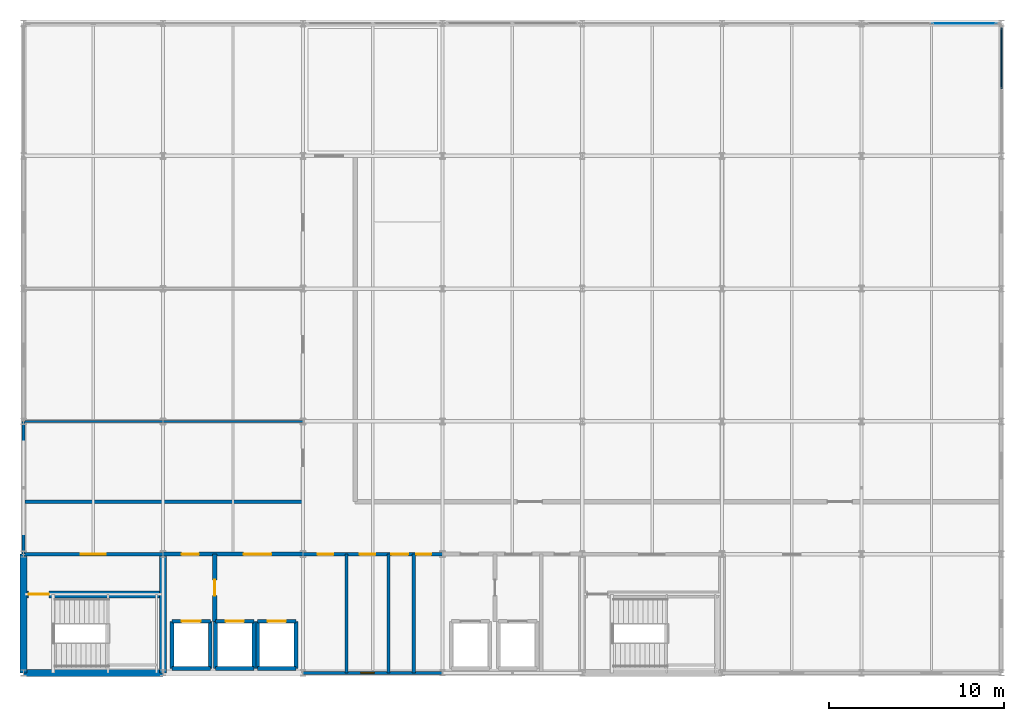
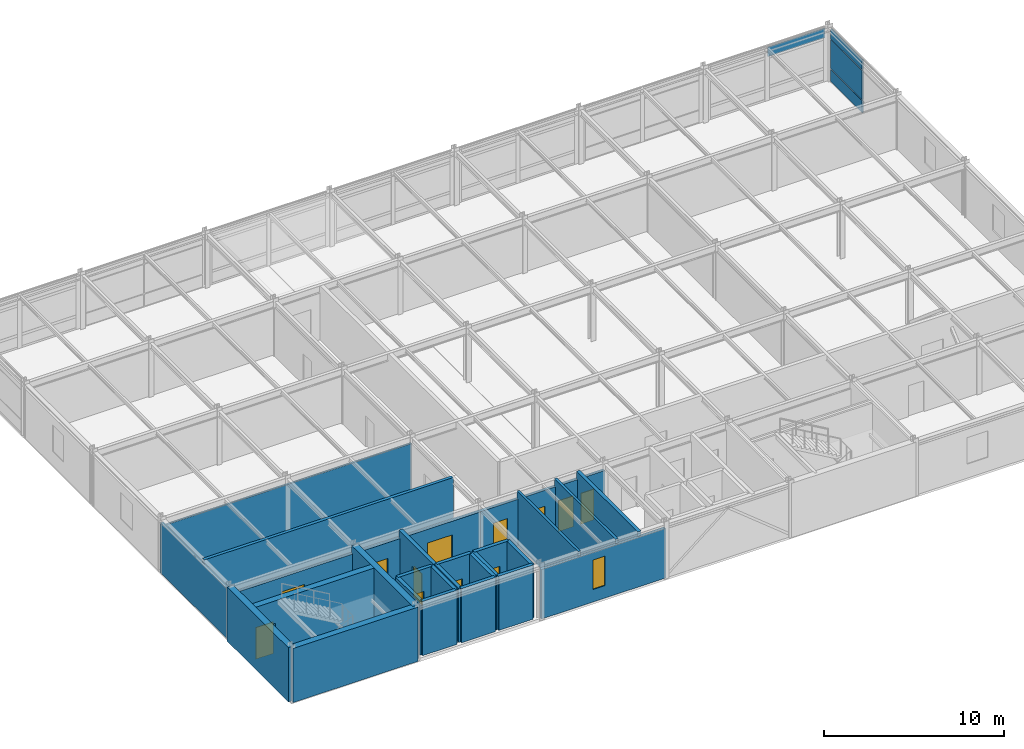
# One storey, part 13 of 16: 27 walls, 12 doors, 4 plates, 1 window, 13 openings, 2 elements without a shape of their own.
"""IFC4 building model written with IfcOpenShell, lengths in metres."""

from ifc_helpers import new_model, si_unit, direction, frame, frame_2d, origin, origin_2d, place, context, subcontext, project, spatial, rectangle, extrude, material, layer, layer_set, type_object, element, fill, aggregate, save


model = new_model("IFC4")

# Units and contexts
model_context = context("Model", 3, precision=1e-05, world=origin(), true_north=direction((0.0, 1.0)))
body_context = subcontext(model_context, "Body", "Model", "MODEL_VIEW")
ifc_project = project(units=[si_unit("LENGTHUNIT", "METRE"), si_unit("AREAUNIT", "SQUARE_METRE"), si_unit("VOLUMEUNIT", "CUBIC_METRE"), si_unit("PLANEANGLEUNIT", "RADIAN"), si_unit("MASSUNIT", "GRAM", prefix="KILO")], contexts=[model_context])

# Site, building, storey
site_placement = place(None, origin())
site = spatial("IfcSite", under=ifc_project, at=site_placement, CompositionType="ELEMENT")
building_placement = place(site_placement, origin())
building = spatial("IfcBuilding", under=site, at=building_placement, Name="Shalkamar Park Central Library", CompositionType="ELEMENT")
storey_placement = place(building_placement, frame((0.0, 0.0, 43.800048828125)))
storey = spatial("IfcBuildingStorey", under=building, at=storey_placement, Name="L11", CompositionType="ELEMENT", Elevation=43.800048828125)

# Curtain wall, plate
ifc_material_1 = material(Name="Thermally broken aluminium and triple low-e curtain wall", Category="aluminium")
ifc_layer_1 = layer(ifc_material_1, 0.280029296875)
ifc_layer_set_1 = layer_set([ifc_layer_1], Name="UnitisedCurtainWall_78")
curtain_wall_type_1 = type_object("IfcCurtainWallType", Name="Unitised Curtain Wall 78", PredefinedType="USERDEFINED", material=ifc_layer_set_1)
curtain_wall_1_placement = place(storey_placement, origin())
curtain_wall_1 = element("IfcCurtainWall", 1, at=curtain_wall_1_placement, inside=storey, type_object=curtain_wall_type_1, Name="Unitised Curtain Wall CW-L11-132", ObjectType="UNITISED CURTAIN WALL", PredefinedType="USERDEFINED")
ifc_material_2 = material(Name="Triple-glazed solar-control glass", Category="glass")
ifc_layer_2 = layer(ifc_material_2, 0.031982421875)
ifc_layer_set_2 = layer_set([ifc_layer_2], Name="SolarControlVisionPanel_32")
plate_type_1 = type_object("IfcPlateType", Name="Solar Control Vision Panel 32", PredefinedType="CURTAIN_PANEL", material=ifc_layer_set_2)
plate_1_placement = place(storey_placement, frame((218.887939453125, 285.60009765625, 2.96484375), z_axis=(0.0, 0.0, 1.0), x_axis=(1.0, 0.0, 0.0)))
plate_1 = element("IfcPlate", 2, at=plate_1_placement, type_object=plate_type_1, Name="CW-78 panel 2.3", PredefinedType="CURTAIN_PANEL", context=body_context, shape_type="SweptSolid", body=[
    extrude(rectangle(XDim=3.677001953125, YDim=0.031982421875, at=origin_2d()), origin(), (0.0, 0.0, 1.0), 0.64501953125),
])
aggregate(curtain_wall_1, [plate_1])

# Curtain wall, plates
ifc_layer_3 = layer(ifc_material_1, 0.25)
ifc_layer_set_3 = layer_set([ifc_layer_3], Name="UnitisedCurtainWall_82")
curtain_wall_type_2 = type_object("IfcCurtainWallType", Name="Unitised Curtain Wall 82", PredefinedType="USERDEFINED", material=ifc_layer_set_3)
curtain_wall_2_placement = place(storey_placement, origin())
curtain_wall_2 = element("IfcCurtainWall", 3, at=curtain_wall_2_placement, inside=storey, type_object=curtain_wall_type_2, Name="Unitised Curtain Wall CW-L11-134", ObjectType="UNITISED CURTAIN WALL", PredefinedType="USERDEFINED")
ifc_material_3 = material(Name="Insulated aluminium spandrel panel", Category="aluminium")
ifc_layer_4 = layer(ifc_material_3, 0.080078125)
ifc_layer_set_4 = layer_set([ifc_layer_4], Name="SpandrelShadowboxPanel_80")
plate_type_2 = type_object("IfcPlateType", Name="Spandrel Shadowbox Panel 80", PredefinedType="CURTAIN_PANEL", material=ifc_layer_set_4)
plate_2_placement = place(storey_placement, frame((221.0, 283.589599609375, 0.059814453125), z_axis=(0.0, 0.0, 1.0), x_axis=(0.0, 1.0, 0.0)))
plate_2 = element("IfcPlate", 4, at=plate_2_placement, type_object=plate_type_2, Name="CW-82 panel 2.1", PredefinedType="CURTAIN_PANEL", context=body_context, shape_type="SweptSolid", body=[
    extrude(rectangle(XDim=3.50390625, YDim=0.080078125, at=origin_2d()), origin(), (0.0, 0.0, 1.0), 0.81005859375),
])
plate_3_placement = place(storey_placement, frame((221.0, 283.589599609375, 0.93017578125), z_axis=(0.0, 0.0, 1.0), x_axis=(0.0, 1.0, 0.0)))
plate_3 = element("IfcPlate", 5, at=plate_3_placement, type_object=plate_type_2, Name="CW-82 panel 2.2", PredefinedType="CURTAIN_PANEL", context=body_context, shape_type="SweptSolid", body=[
    extrude(rectangle(XDim=3.50390625, YDim=0.080078125, at=origin_2d()), origin(), (0.0, 0.0, 1.0), 1.969970703125),
])
plate_4_placement = place(storey_placement, frame((221.0, 283.589599609375, 2.9599609375), z_axis=(0.0, 0.0, 1.0), x_axis=(0.0, 1.0, 0.0)))
plate_4 = element("IfcPlate", 6, at=plate_4_placement, type_object=plate_type_2, Name="CW-82 panel 2.3", PredefinedType="CURTAIN_PANEL", context=body_context, shape_type="SweptSolid", body=[
    extrude(rectangle(XDim=3.50390625, YDim=0.080078125, at=origin_2d()), origin(), (0.0, 0.0, 1.0), 0.659912109375),
])
aggregate(curtain_wall_2, [plate_2, plate_3, plate_4])

# Wall, opening, door
ifc_material_4 = material(Name="Reinforced fire-compartment masonry wall", Category="masonry")
ifc_layer_5 = layer(ifc_material_4, 0.239990234375)
ifc_layer_set_5 = layer_set([ifc_layer_5], Name="CompartmentWall_240")
wall_type_1 = type_object("IfcWallType", Name="Compartment Wall 240", PredefinedType="PARTITIONING", material=ifc_layer_set_5)
wall_1_placement = place(storey_placement, frame((175.949951171875, 251.35009765625, 0.0), z_axis=(0.0, 0.0, 1.0), x_axis=(0.0, 1.0, 0.0)))
wall_1 = element("IfcWall", 7, at=wall_1_placement, inside=storey, type_object=wall_type_1, Name="Interior Partition WL-INT-L11-001", PredefinedType="PARTITIONING", context=body_context, shape_type="SweptSolid", body=[
    extrude(rectangle(XDim=3.849853515625, YDim=0.239990234375, at=frame_2d((1.9248046875, 0.0))), origin(), (0.0, 0.0, 1.0), 3.679931640625),
])
opening_1_placement = place(wall_1_placement, frame((1.47509765625, 0.0, 0.0)))
opening_1 = element("IfcOpeningElement", 8, at=opening_1_placement, cuts=wall_1, Name="Opening DR-L11-001", PredefinedType="OPENING", context=body_context, shape_type="SweptSolid", body=[
    extrude(rectangle(XDim=0.89990234375, YDim=2.10009765625, at=frame_2d((0.449951171875, 1.050048828125))), frame((0.0, 0.134765625, 0.0), z_axis=(0.0, -1.0, 0.0), x_axis=(1.0, 0.0, 0.0)), (0.0, 0.0, 1.0), 0.269775390625),
])
ifc_material_5 = material(Name="Steel S355", Category="steel")
door_type_1 = type_object("IfcDoorType", Name="Fire Door Single 900x2100", OperationType="NOTDEFINED", PredefinedType="DOOR", material=ifc_material_5)
door_1_placement = place(opening_1_placement, frame((0.89990234375, 0.0, 0.0), z_axis=(0.0, 0.0, 1.0), x_axis=(-1.0, 0.0, 0.0)))
door_1 = element("IfcDoor", 9, at=door_1_placement, inside=storey, type_object=door_type_1, Name="Fire Lobby Interconnect Door", OperationType="SINGLE_SWING_LEFT", OverallHeight=2.10009765625, OverallWidth=0.89990234375, PredefinedType="DOOR", context=body_context, shape_type="SweptSolid", body=[
    extrude(rectangle(XDim=0.89990234375, YDim=2.10009765625, at=frame_2d((0.449951171875, 1.050048828125))), frame((0.0, 0.02490234375, 0.0), z_axis=(0.0, -1.0, 0.0), x_axis=(1.0, 0.0, 0.0)), (0.0, 0.0, 1.0), 0.050048828125),
])
fill(opening_1, door_1)

# Wall, openings, doors
wall_2_placement = place(storey_placement, frame((173.0, 255.199951171875, 0.0), z_axis=(0.0, 0.0, 1.0), x_axis=(1.0, 0.0, 0.0)))
wall_2 = element("IfcWall", 10, at=wall_2_placement, inside=storey, type_object=wall_type_1, Name="Interior Partition WL-INT-L11-007", PredefinedType="PARTITIONING", context=body_context, shape_type="SweptSolid", body=[
    extrude(rectangle(XDim=8.0, YDim=0.239990234375, at=frame_2d((4.0, 0.0))), origin(), (0.0, 0.0, 1.0), 3.177978515625),
])
opening_2_placement = place(wall_2_placement, frame((1.050048828125, 0.0, 0.0)))
opening_2 = element("IfcOpeningElement", 11, at=opening_2_placement, cuts=wall_2, Name="Opening DR-L11-003", PredefinedType="OPENING", context=body_context, shape_type="SweptSolid", body=[
    extrude(rectangle(XDim=1.0, YDim=2.10009765625, at=frame_2d((0.5, 1.050048828125))), frame((0.0, 0.134765625, 0.0), z_axis=(0.0, -1.0, 0.0), x_axis=(1.0, 0.0, 0.0)), (0.0, 0.0, 1.0), 0.269775390625),
])
opening_3_placement = place(wall_2_placement, frame((4.60009765625, 0.0, 0.0)))
opening_3 = element("IfcOpeningElement", 12, at=opening_3_placement, cuts=wall_2, Name="Opening DR-L11-004", PredefinedType="OPENING", context=body_context, shape_type="SweptSolid", body=[
    extrude(rectangle(XDim=1.60009765625, YDim=2.25, at=frame_2d((0.800048828125, 1.125))), frame((0.0, 0.134765625, 0.0), z_axis=(0.0, -1.0, 0.0), x_axis=(1.0, 0.0, 0.0)), (0.0, 0.0, 1.0), 0.269775390625),
])
door_type_2 = type_object("IfcDoorType", Name="Fire Door Single 1000x2100", OperationType="NOTDEFINED", PredefinedType="DOOR", material=ifc_material_5)
door_2_placement = place(opening_2_placement, frame((1.0, 0.0, 0.0), z_axis=(0.0, 0.0, 1.0), x_axis=(-1.0, 0.0, 0.0)))
door_2 = element("IfcDoor", 13, at=door_2_placement, inside=storey, type_object=door_type_2, Name="West Firefighting Lobby Door", OperationType="SINGLE_SWING_RIGHT", OverallHeight=2.10009765625, OverallWidth=1.0, PredefinedType="DOOR", context=body_context, shape_type="SweptSolid", body=[
    extrude(rectangle(XDim=1.0, YDim=2.10009765625, at=frame_2d((0.5, 1.050048828125))), frame((0.0, 0.02490234375, 0.0), z_axis=(0.0, -1.0, 0.0), x_axis=(1.0, 0.0, 0.0)), (0.0, 0.0, 1.0), 0.050048828125),
])
fill(opening_2, door_2)
door_type_3 = type_object("IfcDoorType", Name="Interior Door Double 1600x2250", OperationType="DOUBLE_DOOR_SINGLE_SWING", PredefinedType="DOOR", material=ifc_material_5)
door_3_placement = place(opening_3_placement, origin())
door_3 = element("IfcDoor", 14, at=door_3_placement, inside=storey, type_object=door_type_3, Name="West Lift Lobby Entrance", OperationType="DOUBLE_DOOR_SINGLE_SWING", OverallHeight=2.25, OverallWidth=1.60009765625, PredefinedType="DOOR", context=body_context, shape_type="SweptSolid", body=[
    extrude(rectangle(XDim=1.60009765625, YDim=2.25, at=frame_2d((0.800048828125, 1.125))), frame((0.0, 0.02490234375, 0.0), z_axis=(0.0, -1.0, 0.0), x_axis=(1.0, 0.0, 0.0)), (0.0, 0.0, 1.0), 0.050048828125),
])
fill(opening_3, door_3)

# Wall, opening, door
ifc_material_6 = material(Name="Fire-rated corridor partition wall", Category="masonry")
ifc_layer_6 = layer(ifc_material_6, 0.199951171875)
ifc_layer_set_6 = layer_set([ifc_layer_6], Name="CorridorFireWall_200")
wall_type_2 = type_object("IfcWallType", Name="Corridor Fire Wall 200", PredefinedType="PARTITIONING", material=ifc_layer_set_6)
wall_3_placement = place(storey_placement, frame((165.0, 255.199951171875, 0.0), z_axis=(0.0, 0.0, 1.0), x_axis=(1.0, 0.0, 0.0)))
wall_3 = element("IfcWall", 15, at=wall_3_placement, inside=storey, type_object=wall_type_2, Name="CORE-T1 Vestibule North Wall (L11)", PredefinedType="PARTITIONING", context=body_context, shape_type="SweptSolid", body=[
    extrude(rectangle(XDim=8.0, YDim=0.199951171875, at=frame_2d((4.0, 0.0))), origin(), (0.0, 0.0, 1.0), 3.177978515625),
])
opening_4_placement = place(wall_3_placement, frame((3.27490234375, 0.0, 0.0)))
opening_4 = element("IfcOpeningElement", 16, at=opening_4_placement, cuts=wall_3, Name="Opening DR-ST-T1-L11-VEST", PredefinedType="OPENING", context=body_context, shape_type="SweptSolid", body=[
    extrude(rectangle(XDim=1.449951171875, YDim=2.199951171875, at=frame_2d((0.72509765625, 1.10009765625))), frame((0.0, 0.11474609375, 0.0), z_axis=(0.0, -1.0, 0.0), x_axis=(1.0, 0.0, 0.0)), (0.0, 0.0, 1.0), 0.229736328125),
])
door_type_4 = type_object("IfcDoorType", Name="Stair Vestibule Door 1450x2200", OperationType="DOUBLE_DOOR_SINGLE_SWING", PredefinedType="DOOR", material=ifc_material_5)
door_4_placement = place(opening_4_placement, frame((1.449951171875, 0.0, 0.0), z_axis=(0.0, 0.0, 1.0), x_axis=(-1.0, 0.0, 0.0)))
door_4 = element("IfcDoor", 17, at=door_4_placement, inside=storey, type_object=door_type_4, Name="Protected Stair ST-T1 Vestibule Door (L11)", OperationType="DOUBLE_DOOR_SINGLE_SWING", OverallHeight=2.199951171875, OverallWidth=1.449951171875, PredefinedType="DOOR", context=body_context, shape_type="SweptSolid", body=[
    extrude(rectangle(XDim=1.449951171875, YDim=2.199951171875, at=frame_2d((0.72509765625, 1.10009765625))), frame((0.0, 0.02490234375, 0.0), z_axis=(0.0, -1.0, 0.0), x_axis=(1.0, 0.0, 0.0)), (0.0, 0.0, 1.0), 0.050048828125),
])
fill(opening_4, door_4)

# Wall, openings, doors
wall_4_placement = place(storey_placement, frame((181.0, 255.199951171875, 0.0), z_axis=(0.0, 0.0, 1.0), x_axis=(1.0, 0.0, 0.0)))
wall_4 = element("IfcWall", 18, at=wall_4_placement, inside=storey, type_object=wall_type_2, Name="Interior Partition WL-INT-L11-008", PredefinedType="PARTITIONING", context=body_context, shape_type="SweptSolid", body=[
    extrude(rectangle(XDim=8.0, YDim=0.199951171875, at=frame_2d((4.0, 0.0))), origin(), (0.0, 0.0, 1.0), 3.177978515625),
])
opening_5_placement = place(wall_4_placement, frame((0.85009765625, 0.0, 0.0)))
opening_5 = element("IfcOpeningElement", 19, at=opening_5_placement, cuts=wall_4, Name="Opening DR-L11-005", PredefinedType="OPENING", context=body_context, shape_type="SweptSolid", body=[
    extrude(rectangle(XDim=0.89990234375, YDim=2.10009765625, at=frame_2d((0.449951171875, 1.050048828125))), frame((0.0, 0.11474609375, 0.0), z_axis=(0.0, -1.0, 0.0), x_axis=(1.0, 0.0, 0.0)), (0.0, 0.0, 1.0), 0.229736328125),
])
opening_6_placement = place(wall_4_placement, frame((3.25, 0.0, 0.0)))
opening_6 = element("IfcOpeningElement", 20, at=opening_6_placement, cuts=wall_4, Name="Opening DR-L11-006", PredefinedType="OPENING", context=body_context, shape_type="SweptSolid", body=[
    extrude(rectangle(XDim=0.89990234375, YDim=2.10009765625, at=frame_2d((0.449951171875, 1.050048828125))), frame((0.0, 0.11474609375, 0.0), z_axis=(0.0, -1.0, 0.0), x_axis=(1.0, 0.0, 0.0)), (0.0, 0.0, 1.0), 0.229736328125),
])
opening_7_placement = place(wall_4_placement, frame((5.074951171875, 0.0, 0.0)))
opening_7 = element("IfcOpeningElement", 21, at=opening_7_placement, cuts=wall_4, Name="Opening DR-L11-007", PredefinedType="OPENING", context=body_context, shape_type="SweptSolid", body=[
    extrude(rectangle(XDim=0.949951171875, YDim=2.10009765625, at=frame_2d((0.47509765625, 1.050048828125))), frame((0.0, 0.11474609375, 0.0), z_axis=(0.0, -1.0, 0.0), x_axis=(1.0, 0.0, 0.0)), (0.0, 0.0, 1.0), 0.229736328125),
])
opening_8_placement = place(wall_4_placement, frame((6.5, 0.0, 0.0)))
opening_8 = element("IfcOpeningElement", 22, at=opening_8_placement, cuts=wall_4, Name="Opening DR-L11-008", PredefinedType="OPENING", context=body_context, shape_type="SweptSolid", body=[
    extrude(rectangle(XDim=0.85009765625, YDim=2.10009765625, at=frame_2d((0.425048828125, 1.050048828125))), frame((0.0, 0.11474609375, 0.0), z_axis=(0.0, -1.0, 0.0), x_axis=(1.0, 0.0, 0.0)), (0.0, 0.0, 1.0), 0.229736328125),
])
door_type_5 = type_object("IfcDoorType", Name="Fire Door Riser 850x2100", OperationType="NOTDEFINED", PredefinedType="DOOR", material=ifc_material_5)
door_5_placement = place(opening_8_placement, frame((0.85009765625, 0.0, 0.0), z_axis=(0.0, 0.0, 1.0), x_axis=(-1.0, 0.0, 0.0)))
door_5 = element("IfcDoor", 23, at=door_5_placement, inside=storey, type_object=door_type_5, Name="Electrical Riser Access Door", OperationType="SINGLE_SWING_LEFT", OverallHeight=2.10009765625, OverallWidth=0.85009765625, PredefinedType="DOOR", context=body_context, shape_type="SweptSolid", body=[
    extrude(rectangle(XDim=0.85009765625, YDim=2.10009765625, at=frame_2d((0.425048828125, 1.050048828125))), frame((0.0, 0.02490234375, 0.0), z_axis=(0.0, -1.0, 0.0), x_axis=(1.0, 0.0, 0.0)), (0.0, 0.0, 1.0), 0.050048828125),
])
fill(opening_8, door_5)
door_type_6 = type_object("IfcDoorType", Name="Interior Door Single 900x2100", OperationType="NOTDEFINED", PredefinedType="DOOR", material=ifc_material_5)
door_6_placement = place(opening_5_placement, frame((0.89990234375, 0.0, 0.0), z_axis=(0.0, 0.0, 1.0), x_axis=(-1.0, 0.0, 0.0)))
door_6 = element("IfcDoor", 24, at=door_6_placement, inside=storey, type_object=door_type_6, Name="Male WC Door", OperationType="SINGLE_SWING_RIGHT", OverallHeight=2.10009765625, OverallWidth=0.89990234375, PredefinedType="DOOR", context=body_context, shape_type="SweptSolid", body=[
    extrude(rectangle(XDim=0.89990234375, YDim=2.10009765625, at=frame_2d((0.449951171875, 1.050048828125))), frame((0.0, 0.02490234375, 0.0), z_axis=(0.0, -1.0, 0.0), x_axis=(1.0, 0.0, 0.0)), (0.0, 0.0, 1.0), 0.050048828125),
])
fill(opening_5, door_6)
door_7_placement = place(opening_6_placement, frame((0.89990234375, 0.0, 0.0), z_axis=(0.0, 0.0, 1.0), x_axis=(-1.0, 0.0, 0.0)))
door_7 = element("IfcDoor", 25, at=door_7_placement, inside=storey, type_object=door_type_6, Name="Female WC Door", OperationType="SINGLE_SWING_RIGHT", OverallHeight=2.10009765625, OverallWidth=0.89990234375, PredefinedType="DOOR", context=body_context, shape_type="SweptSolid", body=[
    extrude(rectangle(XDim=0.89990234375, YDim=2.10009765625, at=frame_2d((0.449951171875, 1.050048828125))), frame((0.0, 0.02490234375, 0.0), z_axis=(0.0, -1.0, 0.0), x_axis=(1.0, 0.0, 0.0)), (0.0, 0.0, 1.0), 0.050048828125),
])
fill(opening_6, door_7)
door_type_7 = type_object("IfcDoorType", Name="Interior Door Single 950x2100", OperationType="NOTDEFINED", PredefinedType="DOOR", material=ifc_material_5)
door_8_placement = place(opening_7_placement, frame((0.949951171875, 0.0, 0.0), z_axis=(0.0, 0.0, 1.0), x_axis=(-1.0, 0.0, 0.0)))
door_8 = element("IfcDoor", 26, at=door_8_placement, inside=storey, type_object=door_type_7, Name="Universal Accessible WC Door", OperationType="SINGLE_SWING_LEFT", OverallHeight=2.10009765625, OverallWidth=0.949951171875, PredefinedType="DOOR", context=body_context, shape_type="SweptSolid", body=[
    extrude(rectangle(XDim=0.949951171875, YDim=2.10009765625, at=frame_2d((0.47509765625, 1.050048828125))), frame((0.0, 0.02490234375, 0.0), z_axis=(0.0, -1.0, 0.0), x_axis=(1.0, 0.0, 0.0)), (0.0, 0.0, 1.0), 0.050048828125),
])
fill(opening_7, door_8)

# Walls
wall_5_placement = place(storey_placement, frame((165.0, 258.199951171875, 0.0), z_axis=(0.0, 0.0, 1.0), x_axis=(1.0, 0.0, 0.0)))
element("IfcWall", 27, at=wall_5_placement, inside=storey, type_object=wall_type_2, Name="Interior Partition WL-INT-L11-011", PredefinedType="PARTITIONING", context=body_context, shape_type="SweptSolid", body=[
    extrude(rectangle(XDim=16.0, YDim=0.199951171875, at=frame_2d((8.0, 0.0))), origin(), (0.0, 0.0, 1.0), 3.679931640625),
])
ifc_material_7 = material(Name="Concrete C40/50", Category="concrete")
ifc_layer_7 = layer(ifc_material_7, 0.219970703125)
ifc_layer_set_7 = layer_set([ifc_layer_7], Name="Concrete C40/50")
wall_type_3 = type_object("IfcWallType", Name="Lift Hoistway Shear Wall 220", PredefinedType="SHEAR", material=ifc_layer_set_7)
wall_6_placement = place(storey_placement, frame((173.5, 248.64990234375, 0.0), z_axis=(0.0, 0.0, 1.0), x_axis=(1.0, 0.0, 0.0)))
element("IfcWall", 28, at=wall_6_placement, inside=storey, type_object=wall_type_3, Name="Lift FFL-01 Hoistway South Wall (L11)", PredefinedType="SHEAR", context=body_context, shape_type="SweptSolid", body=[
    extrude(rectangle(XDim=2.199951171875, YDim=0.219970703125, at=frame_2d((1.10009765625, 0.0))), origin(), (0.0, 0.0, 1.0), 3.679931640625),
])
for number, where, z_axis, x_axis, name in (
    (29, (173.5, 248.64990234375, 0.0), (0.0, 0.0, 1.0), (0.0, 1.0, 0.0), "Lift FFL-01 Hoistway West Wall (L11)"),
    (30, (175.699951171875, 248.64990234375, 0.0), (0.0, 0.0, 1.0), (0.0, 1.0, 0.0), "Lift FFL-01 Hoistway East Wall (L11)"),
):
    element("IfcWall", number, at=place(storey_placement, frame(where, z_axis=z_axis, x_axis=x_axis)), inside=storey, type_object=wall_type_3, Name=name, PredefinedType="SHEAR", context=body_context, shape_type="SweptSolid", body=[
        extrude(rectangle(XDim=2.7001953125, YDim=0.219970703125, at=frame_2d((1.35009765625, 0.0))), origin(), (0.0, 0.0, 1.0), 3.679931640625),
    ])

# Wall, opening, door
wall_7_placement = place(storey_placement, frame((173.5, 251.35009765625, 0.0), z_axis=(0.0, 0.0, 1.0), x_axis=(1.0, 0.0, 0.0)))
wall_7 = element("IfcWall", 31, at=wall_7_placement, inside=storey, type_object=wall_type_3, Name="Lift FFL-01 Hoistway Front Wall (L11)", PredefinedType="SHEAR", context=body_context, shape_type="SweptSolid", body=[
    extrude(rectangle(XDim=2.199951171875, YDim=0.219970703125, at=frame_2d((1.10009765625, 0.0))), origin(), (0.0, 0.0, 1.0), 3.679931640625),
])
opening_9_placement = place(wall_7_placement, frame((0.550048828125, 0.0, 0.0)))
opening_9 = element("IfcOpeningElement", 32, at=opening_9_placement, cuts=wall_7, Name="Opening LD-FFL-01-L11", PredefinedType="OPENING", context=body_context, shape_type="SweptSolid", body=[
    extrude(rectangle(XDim=1.10009765625, YDim=2.14990234375, at=frame_2d((0.550048828125, 1.074951171875))), frame((0.0, 0.125, 0.0), z_axis=(0.0, -1.0, 0.0), x_axis=(1.0, 0.0, 0.0)), (0.0, 0.0, 1.0), 0.249755859375),
])
door_type_8 = type_object("IfcDoorType", Name="Fire Lift Landing Door 1100x2150", OperationType="DOUBLE_DOOR_SLIDING", PredefinedType="USERDEFINED", material=ifc_material_5)
door_9_placement = place(opening_9_placement, origin())
door_9 = element("IfcDoor", 33, at=door_9_placement, inside=storey, type_object=door_type_8, Name="Lift FFL-01 Sliding Landing Door (L11)", ObjectType="SLIDING LANDING DOOR", OperationType="DOUBLE_DOOR_SLIDING", OverallHeight=2.14990234375, OverallWidth=1.10009765625, PredefinedType="USERDEFINED", context=body_context, shape_type="SweptSolid", body=[
    extrude(rectangle(XDim=1.10009765625, YDim=2.14990234375, at=frame_2d((0.550048828125, 1.074951171875))), frame((0.0, 0.02490234375, 0.0), z_axis=(0.0, -1.0, 0.0), x_axis=(1.0, 0.0, 0.0)), (0.0, 0.0, 1.0), 0.050048828125),
])
fill(opening_9, door_9)

# Walls
wall_8_placement = place(storey_placement, frame((176.0, 248.64990234375, 0.0), z_axis=(0.0, 0.0, 1.0), x_axis=(1.0, 0.0, 0.0)))
element("IfcWall", 34, at=wall_8_placement, inside=storey, type_object=wall_type_3, Name="Lift LT-01 Hoistway South Wall (L11)", PredefinedType="SHEAR", context=body_context, shape_type="SweptSolid", body=[
    extrude(rectangle(XDim=2.199951171875, YDim=0.219970703125, at=frame_2d((1.10009765625, 0.0))), origin(), (0.0, 0.0, 1.0), 3.679931640625),
])
for number, where, z_axis, x_axis, name in (
    (35, (176.0, 248.64990234375, 0.0), (0.0, 0.0, 1.0), (0.0, 1.0, 0.0), "Lift LT-01 Hoistway West Wall (L11)"),
    (36, (178.199951171875, 248.64990234375, 0.0), (0.0, 0.0, 1.0), (0.0, 1.0, 0.0), "Lift LT-01 Hoistway East Wall (L11)"),
):
    element("IfcWall", number, at=place(storey_placement, frame(where, z_axis=z_axis, x_axis=x_axis)), inside=storey, type_object=wall_type_3, Name=name, PredefinedType="SHEAR", context=body_context, shape_type="SweptSolid", body=[
        extrude(rectangle(XDim=2.7001953125, YDim=0.219970703125, at=frame_2d((1.35009765625, 0.0))), origin(), (0.0, 0.0, 1.0), 3.679931640625),
    ])

# Wall, opening, door
wall_9_placement = place(storey_placement, frame((176.0, 251.35009765625, 0.0), z_axis=(0.0, 0.0, 1.0), x_axis=(1.0, 0.0, 0.0)))
wall_9 = element("IfcWall", 37, at=wall_9_placement, inside=storey, type_object=wall_type_3, Name="Lift LT-01 Hoistway Front Wall (L11)", PredefinedType="SHEAR", context=body_context, shape_type="SweptSolid", body=[
    extrude(rectangle(XDim=2.199951171875, YDim=0.219970703125, at=frame_2d((1.10009765625, 0.0))), origin(), (0.0, 0.0, 1.0), 3.679931640625),
])
opening_10_placement = place(wall_9_placement, frame((0.574951171875, 0.0, 0.0)))
opening_10 = element("IfcOpeningElement", 38, at=opening_10_placement, cuts=wall_9, Name="Opening LD-LT-01-L11", PredefinedType="OPENING", context=body_context, shape_type="SweptSolid", body=[
    extrude(rectangle(XDim=1.050048828125, YDim=2.14990234375, at=frame_2d((0.52490234375, 1.074951171875))), frame((0.0, 0.125, 0.0), z_axis=(0.0, -1.0, 0.0), x_axis=(1.0, 0.0, 0.0)), (0.0, 0.0, 1.0), 0.249755859375),
])
door_type_9 = type_object("IfcDoorType", Name="Passenger Lift Landing Door 1050x2150", OperationType="DOUBLE_DOOR_SLIDING", PredefinedType="USERDEFINED", material=ifc_material_5)
door_10_placement = place(opening_10_placement, origin())
door_10 = element("IfcDoor", 39, at=door_10_placement, inside=storey, type_object=door_type_9, Name="Lift LT-01 Sliding Landing Door (L11)", ObjectType="SLIDING LANDING DOOR", OperationType="DOUBLE_DOOR_SLIDING", OverallHeight=2.14990234375, OverallWidth=1.050048828125, PredefinedType="USERDEFINED", context=body_context, shape_type="SweptSolid", body=[
    extrude(rectangle(XDim=1.050048828125, YDim=2.14990234375, at=frame_2d((0.52490234375, 1.074951171875))), frame((0.0, 0.02490234375, 0.0), z_axis=(0.0, -1.0, 0.0), x_axis=(1.0, 0.0, 0.0)), (0.0, 0.0, 1.0), 0.050048828125),
])
fill(opening_10, door_10)

# Walls
wall_10_placement = place(storey_placement, frame((178.39990234375, 248.64990234375, 0.0), z_axis=(0.0, 0.0, 1.0), x_axis=(1.0, 0.0, 0.0)))
element("IfcWall", 40, at=wall_10_placement, inside=storey, type_object=wall_type_3, Name="Lift LT-02 Hoistway South Wall (L11)", PredefinedType="SHEAR", context=body_context, shape_type="SweptSolid", body=[
    extrude(rectangle(XDim=2.2001953125, YDim=0.219970703125, at=frame_2d((1.10009765625, 0.0))), origin(), (0.0, 0.0, 1.0), 3.679931640625),
])
for number, where, z_axis, x_axis, name in (
    (41, (178.39990234375, 248.64990234375, 0.0), (0.0, 0.0, 1.0), (0.0, 1.0, 0.0), "Lift LT-02 Hoistway West Wall (L11)"),
    (42, (180.60009765625, 248.64990234375, 0.0), (0.0, 0.0, 1.0), (0.0, 1.0, 0.0), "Lift LT-02 Hoistway East Wall (L11)"),
):
    element("IfcWall", number, at=place(storey_placement, frame(where, z_axis=z_axis, x_axis=x_axis)), inside=storey, type_object=wall_type_3, Name=name, PredefinedType="SHEAR", context=body_context, shape_type="SweptSolid", body=[
        extrude(rectangle(XDim=2.7001953125, YDim=0.219970703125, at=frame_2d((1.35009765625, 0.0))), origin(), (0.0, 0.0, 1.0), 3.679931640625),
    ])

# Wall, opening, door
wall_11_placement = place(storey_placement, frame((178.39990234375, 251.35009765625, 0.0), z_axis=(0.0, 0.0, 1.0), x_axis=(1.0, 0.0, 0.0)))
wall_11 = element("IfcWall", 43, at=wall_11_placement, inside=storey, type_object=wall_type_3, Name="Lift LT-02 Hoistway Front Wall (L11)", PredefinedType="SHEAR", context=body_context, shape_type="SweptSolid", body=[
    extrude(rectangle(XDim=2.2001953125, YDim=0.219970703125, at=frame_2d((1.10009765625, 0.0))), origin(), (0.0, 0.0, 1.0), 3.679931640625),
])
opening_11_placement = place(wall_11_placement, frame((0.574951171875, 0.0, 0.0)))
opening_11 = element("IfcOpeningElement", 44, at=opening_11_placement, cuts=wall_11, Name="Opening LD-LT-02-L11", PredefinedType="OPENING", context=body_context, shape_type="SweptSolid", body=[
    extrude(rectangle(XDim=1.050048828125, YDim=2.14990234375, at=frame_2d((0.52490234375, 1.074951171875))), frame((0.0, 0.125, 0.0), z_axis=(0.0, -1.0, 0.0), x_axis=(1.0, 0.0, 0.0)), (0.0, 0.0, 1.0), 0.249755859375),
])
door_11_placement = place(opening_11_placement, origin())
door_11 = element("IfcDoor", 45, at=door_11_placement, inside=storey, type_object=door_type_9, Name="Lift LT-02 Sliding Landing Door (L11)", ObjectType="SLIDING LANDING DOOR", OperationType="DOUBLE_DOOR_SLIDING", OverallHeight=2.14990234375, OverallWidth=1.050048828125, PredefinedType="USERDEFINED", context=body_context, shape_type="SweptSolid", body=[
    extrude(rectangle(XDim=1.050048828125, YDim=2.14990234375, at=frame_2d((0.52490234375, 1.074951171875))), frame((0.0, 0.02490234375, 0.0), z_axis=(0.0, -1.0, 0.0), x_axis=(1.0, 0.0, 0.0)), (0.0, 0.0, 1.0), 0.050048828125),
])
fill(opening_11, door_11)

# Walls
ifc_material_8 = material(Name="Moisture-resistant sanitary partition", Category="masonry")
ifc_layer_8 = layer(ifc_material_8, 0.159912109375)
ifc_layer_set_8 = layer_set([ifc_layer_8], Name="PlumbingChaseWall_160")
wall_type_4 = type_object("IfcWallType", Name="Plumbing Chase Wall 160", PredefinedType="PARTITIONING", material=ifc_layer_set_8)
for number, where, z_axis, x_axis, name in (
    (46, (183.5, 248.39990234375, 0.0), (0.0, 0.0, 1.0), (0.0, 1.0, 0.0), "Interior Partition WL-INT-L11-004"),
    (47, (185.89990234375, 248.39990234375, 0.0), (0.0, 0.0, 1.0), (0.0, 1.0, 0.0), "Interior Partition WL-INT-L11-005"),
):
    element("IfcWall", number, at=place(storey_placement, frame(where, z_axis=z_axis, x_axis=x_axis)), inside=storey, type_object=wall_type_4, Name=name, PredefinedType="PARTITIONING", context=body_context, shape_type="SweptSolid", body=[
        extrude(rectangle(XDim=6.800048828125, YDim=0.159912109375, at=frame_2d((3.39990234375, 0.0))), origin(), (0.0, 0.0, 1.0), 3.679931640625),
    ])
ifc_material_9 = material(Name="Fire-rated shaft enclosure wall", Category="masonry")
ifc_layer_9 = layer(ifc_material_9, 0.219970703125)
ifc_layer_set_9 = layer_set([ifc_layer_9], Name="ShaftWall_220")
wall_type_5 = type_object("IfcWallType", Name="Shaft Wall 220", PredefinedType="PARTITIONING", material=ifc_layer_set_9)
wall_12_placement = place(storey_placement, frame((187.35009765625, 248.39990234375, 0.0), z_axis=(0.0, 0.0, 1.0), x_axis=(0.0, 1.0, 0.0)))
element("IfcWall", 48, at=wall_12_placement, inside=storey, type_object=wall_type_5, Name="Interior Partition WL-INT-L11-006", PredefinedType="PARTITIONING", context=body_context, shape_type="SweptSolid", body=[
    extrude(rectangle(XDim=6.800048828125, YDim=0.219970703125, at=frame_2d((3.39990234375, 0.0))), origin(), (0.0, 0.0, 1.0), 3.679931640625),
])
ifc_material_10 = material(Name="Lightweight acoustic stud partition", Category="masonry")
ifc_layer_10 = layer(ifc_material_10, 0.1201171875)
ifc_layer_set_10 = layer_set([ifc_layer_10], Name="StandardPartition_120")
wall_type_6 = type_object("IfcWallType", Name="Standard Partition 120", PredefinedType="PARTITIONING", material=ifc_layer_set_10)
wall_13_placement = place(storey_placement, frame((165.0, 262.800048828125, 0.0), z_axis=(0.0, 0.0, 1.0), x_axis=(1.0, 0.0, 0.0)))
element("IfcWall", 49, at=wall_13_placement, inside=storey, type_object=wall_type_6, Name="Interior Partition WL-INT-L11-013", PredefinedType="PARTITIONING", context=body_context, shape_type="SweptSolid", body=[
    extrude(rectangle(XDim=16.0, YDim=0.1201171875, at=frame_2d((8.0, 0.0))), origin(), (0.0, 0.0, 1.0), 3.177978515625),
])
ifc_layer_11 = layer(ifc_material_7, 0.39990234375)
ifc_layer_set_11 = layer_set([ifc_layer_11], Name="Concrete C40/50")
wall_type_7 = type_object("IfcWallType", Name="Tower Core Shear Wall 400", PredefinedType="SHEAR", material=ifc_layer_set_11)
wall_14_placement = place(storey_placement, frame((165.0, 248.39990234375, 0.0), z_axis=(0.0, 0.0, 1.0), x_axis=(1.0, 0.0, 0.0)))
element("IfcWall", 50, at=wall_14_placement, inside=storey, type_object=wall_type_7, Name="CORE-T1 South Shear Wall (L11)", PredefinedType="SHEAR", context=body_context, shape_type="SweptSolid", body=[
    extrude(rectangle(XDim=8.0, YDim=0.39990234375, at=frame_2d((4.0, 0.0))), origin(), (0.0, 0.0, 1.0), 3.679931640625),
])
for number, where, z_axis, x_axis, name in (
    (51, (165.0, 248.39990234375, 0.0), (0.0, 0.0, 1.0), (0.0, 1.0, 0.0), "CORE-T1 West Shear Wall (L11)"),
    (52, (173.0, 248.39990234375, 0.0), (0.0, 0.0, 1.0), (0.0, 1.0, 0.0), "CORE-T1 East Shear Wall (L11)"),
):
    element("IfcWall", number, at=place(storey_placement, frame(where, z_axis=z_axis, x_axis=x_axis)), inside=storey, type_object=wall_type_7, Name=name, PredefinedType="SHEAR", context=body_context, shape_type="SweptSolid", body=[
        extrude(rectangle(XDim=6.800048828125, YDim=0.39990234375, at=frame_2d((3.39990234375, 0.0))), origin(), (0.0, 0.0, 1.0), 3.679931640625),
    ])

# Wall, opening, door
wall_15_placement = place(storey_placement, frame((165.0, 252.89990234375, 0.0), z_axis=(0.0, 0.0, 1.0), x_axis=(1.0, 0.0, 0.0)))
wall_15 = element("IfcWall", 53, at=wall_15_placement, inside=storey, type_object=wall_type_7, Name="CORE-T1 Stairwell Wall (L11)", PredefinedType="SHEAR", context=body_context, shape_type="SweptSolid", body=[
    extrude(rectangle(XDim=8.0, YDim=0.39990234375, at=frame_2d((4.0, 0.0))), origin(), (0.0, 0.0, 1.0), 3.679931640625),
])
opening_12_placement = place(wall_15_placement, frame((0.300048828125, 0.0, 0.0)))
opening_12 = element("IfcOpeningElement", 54, at=opening_12_placement, cuts=wall_15, Name="Opening DR-ST-T1-L11-IN", PredefinedType="OPENING", context=body_context, shape_type="SweptSolid", body=[
    extrude(rectangle(XDim=1.14990234375, YDim=2.14990234375, at=frame_2d((0.574951171875, 1.074951171875))), frame((0.0, 0.21484375, 0.0), z_axis=(0.0, -1.0, 0.0), x_axis=(1.0, 0.0, 0.0)), (0.0, 0.0, 1.0), 0.4296875),
])
door_type_10 = type_object("IfcDoorType", Name="Stair Core Exit Door 1150x2150", OperationType="NOTDEFINED", PredefinedType="DOOR", material=ifc_material_5)
door_12_placement = place(opening_12_placement, frame((1.14990234375, 0.0, 0.0), z_axis=(0.0, 0.0, 1.0), x_axis=(-1.0, 0.0, 0.0)))
door_12 = element("IfcDoor", 55, at=door_12_placement, inside=storey, type_object=door_type_10, Name="Protected Stair ST-T1 Exit Door (L11)", OperationType="SINGLE_SWING_RIGHT", OverallHeight=2.14990234375, OverallWidth=1.14990234375, PredefinedType="DOOR", context=body_context, shape_type="SweptSolid", body=[
    extrude(rectangle(XDim=1.14990234375, YDim=2.14990234375, at=frame_2d((0.574951171875, 1.074951171875))), frame((0.0, 0.02490234375, 0.0), z_axis=(0.0, -1.0, 0.0), x_axis=(1.0, 0.0, 0.0)), (0.0, 0.0, 1.0), 0.050048828125),
])
fill(opening_12, door_12)

# Wall, opening, window
ifc_material_11 = material(Name="Terracotta insulated wall panel", Category="masonry")
ifc_layer_12 = layer(ifc_material_11, 0.179931640625)
ifc_layer_set_12 = layer_set([ifc_layer_12], Name="TowerSpandrelWall_180")
wall_type_8 = type_object("IfcWallType", Name="Tower Spandrel Wall 180", PredefinedType="SOLIDWALL", material=ifc_layer_set_12)
wall_16_placement = place(storey_placement, frame((181.006103515625, 248.39990234375, 0.0), z_axis=(0.0, 0.0, 1.0), x_axis=(1.0, 0.0, 0.0)))
wall_16 = element("IfcWall", 56, at=wall_16_placement, inside=storey, type_object=wall_type_8, Name="Exterior Facade Wall WL-EXT-L11-212", PredefinedType="SOLIDWALL", context=body_context, shape_type="SweptSolid", body=[
    extrude(rectangle(XDim=7.98779296875, YDim=0.179931640625, at=frame_2d((3.993896484375, 0.0))), origin(), (0.0, 0.0, 1.0), 3.367919921875),
])
opening_13_placement = place(wall_16_placement, frame((3.319091796875, 0.0, 0.85009765625)))
opening_13 = element("IfcOpeningElement", 57, at=opening_13_placement, cuts=wall_16, Name="Opening WN-18", PredefinedType="OPENING", context=body_context, shape_type="SweptSolid", body=[
    extrude(rectangle(XDim=0.75, YDim=2.0, at=frame_2d((0.375, 1.0))), frame((0.0, 0.10498046875, 0.0), z_axis=(0.0, -1.0, 0.0), x_axis=(1.0, 0.0, 0.0)), (0.0, 0.0, 1.0), 0.209716796875),
])
ifc_material_12 = material(Name="Thermally broken aluminium and triple low-e glass", Category="glass")
window_type = type_object("IfcWindowType", Name="Archive Slit Window 750x2000", PartitioningType="SINGLE_PANEL", PredefinedType="WINDOW", material=ifc_material_12)
window_placement = place(opening_13_placement, origin())
window = element("IfcWindow", 58, at=window_placement, inside=storey, type_object=window_type, Name="Facade Window WN-L11-153", OverallHeight=2.0, OverallWidth=0.75, PartitioningType="SINGLE_PANEL", PredefinedType="WINDOW", context=body_context, shape_type="SweptSolid", body=[
    extrude(rectangle(XDim=0.75, YDim=2.0, at=frame_2d((0.375, 1.0))), frame((0.0, 0.030029296875, 0.0), z_axis=(0.0, -1.0, 0.0), x_axis=(1.0, 0.0, 0.0)), (0.0, 0.0, 1.0), 0.06005859375),
])
fill(opening_13, window)

# Wall
wall_17_placement = place(storey_placement, frame((165.0, 255.2060546875, 0.0), z_axis=(0.0, 0.0, 1.0), x_axis=(0.0, 1.0, 0.0)))
element("IfcWall", 59, at=wall_17_placement, inside=storey, type_object=wall_type_8, Name="Exterior Facade Wall WL-EXT-L11-216", PredefinedType="SOLIDWALL", context=body_context, shape_type="SweptSolid", body=[
    extrude(rectangle(XDim=7.587890625, YDim=0.179931640625, at=frame_2d((3.7939453125, 0.0))), origin(), (0.0, 0.0, 1.0), 3.407958984375),
])

save(model, "model.ifc")
